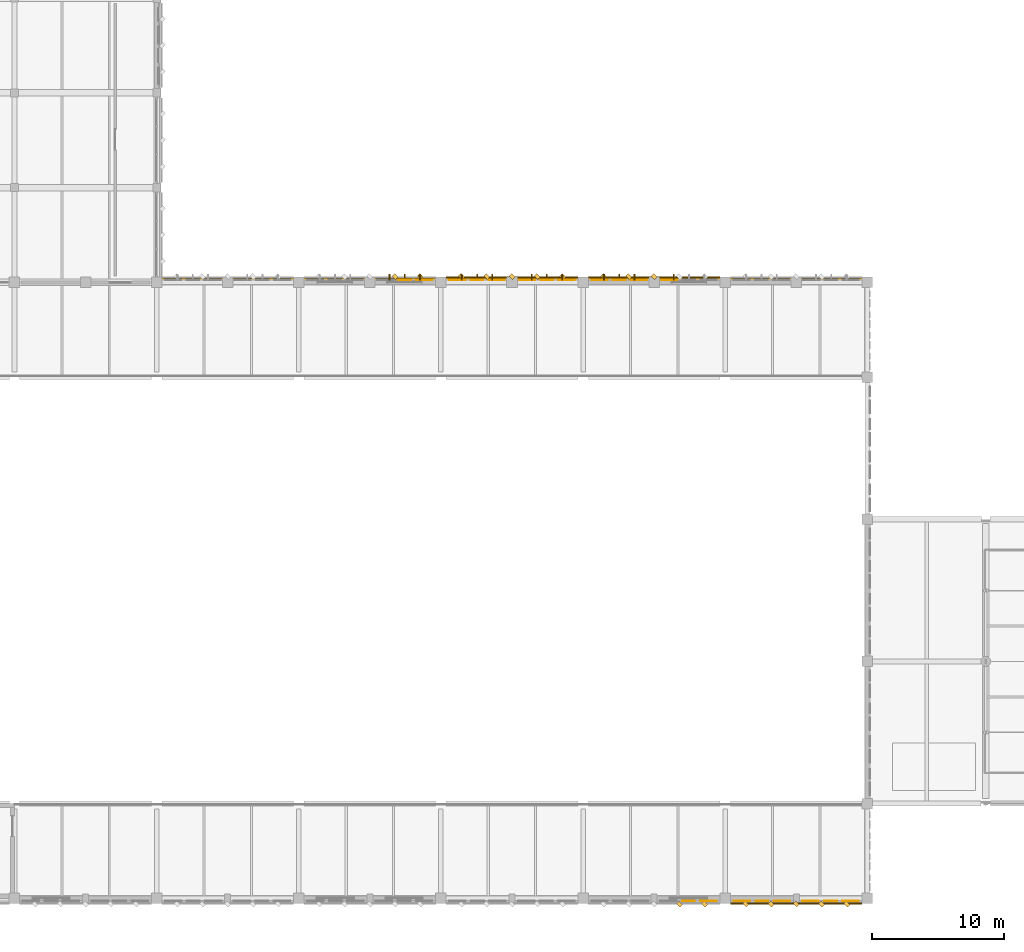
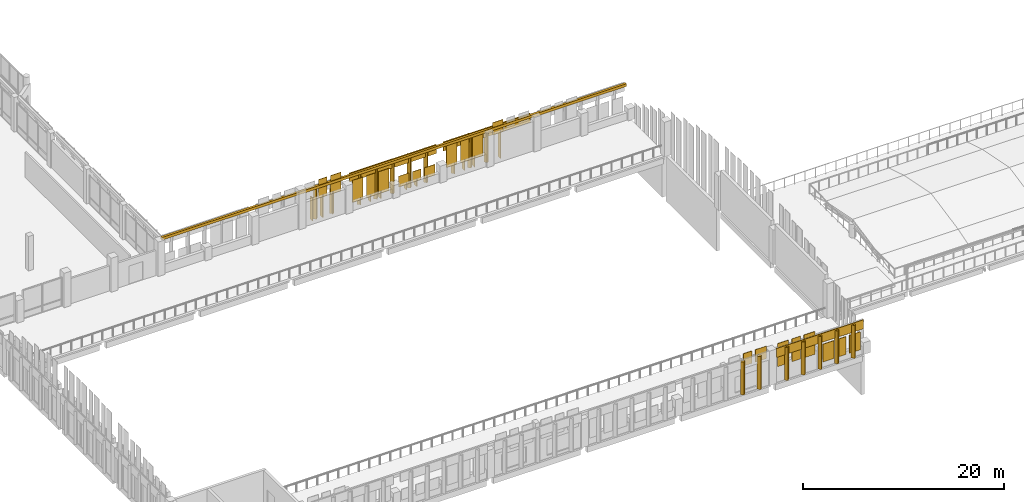
# One storey, part 144 of 158: 54 coverings.
"""IFC4 building model written with IfcOpenShell, lengths in metres."""

from ifc_helpers import new_model, si_unit, direction, frame, origin, origin_2d, place, context, subcontext, project, spatial, rectangle, extrude, material, layer, layer_set, type_object, element, save


model = new_model("IFC4")

# Units and contexts
model_context = context("Model", 3, precision=1e-05, world=origin(), true_north=direction((0.0, 1.0)))
body_context = subcontext(model_context, "Body", "Model", "MODEL_VIEW")
ifc_project = project(units=[si_unit("LENGTHUNIT", "METRE"), si_unit("AREAUNIT", "SQUARE_METRE"), si_unit("VOLUMEUNIT", "CUBIC_METRE"), si_unit("PLANEANGLEUNIT", "RADIAN"), si_unit("MASSUNIT", "GRAM", prefix="KILO")], contexts=[model_context])

# Site, building, storey
site_placement = place(None, origin())
site = spatial("IfcSite", under=ifc_project, at=site_placement, CompositionType="ELEMENT")
building_placement = place(site_placement, origin())
building = spatial("IfcBuilding", under=site, at=building_placement, Name="Lusvemor Sports Hall", CompositionType="ELEMENT")
storey_placement = place(building_placement, frame((0.0, 0.0, 10.800048828125)))
storey = spatial("IfcBuildingStorey", under=building, at=storey_placement, Name="L02", CompositionType="ELEMENT", Elevation=10.800048828125)

# Coverings
ifc_material_1 = material(Name="Precast granite-faced Concrete C40/50 architectural cladding", Category="masonry")
ifc_layer_1 = layer(ifc_material_1, 0.055908203125)
ifc_layer_set_1 = layer_set([ifc_layer_1], Name="Precast granite-faced Concrete C40/50 architectural cladding")
covering_type_1 = type_object("IfcCoveringType", Name="CLAD_RELIEF_FRIEZE", PredefinedType="CLADDING", material=ifc_layer_set_1)
covering_1_placement = place(storey_placement, frame((48.60009765625, 47.02001953125, 3.8798828125), z_axis=(0.0, 0.0, 1.0), x_axis=(1.0, 0.0, 0.0)))
element("IfcCovering", 1, at=covering_1_placement, inside=storey, type_object=covering_type_1, Name="Art Nouveau Sculpted Roofline Cornice 1568", PredefinedType="CLADDING", context=body_context, shape_type="SweptSolid", body=[
    extrude(rectangle(XDim=53.39990234375, YDim=0.239990234375, at=origin_2d()), origin(), (0.0, 0.0, 1.0), 0.320068359375),
])
ifc_material_2 = material(Name="Emerald polychrome glazed ceramic cladding on Concrete C40/50 backing", Category="concrete")
ifc_layer_2 = layer(ifc_material_2, 0.0458984375)
ifc_layer_set_2 = layer_set([ifc_layer_2], Name="Emerald polychrome glazed ceramic cladding on Concrete C40/50 backing")
covering_type_2 = type_object("IfcCoveringType", Name="CLAD_WAVE_EMERALD", PredefinedType="CLADDING", material=ifc_layer_set_2)
covering_2_placement = place(storey_placement, frame((41.943359375, 46.990478515625, 2.60107421875), z_axis=(0.0, 0.0, 1.0), x_axis=(1.0, 0.0, 0.0)))
element("IfcCovering", 2, at=covering_2_placement, inside=storey, type_object=covering_type_2, Name="Art Nouveau Patterned Cladding PS-WAVEN-3-2-3", PredefinedType="CLADDING", context=body_context, shape_type="SweptSolid", body=[
    extrude(rectangle(XDim=1.224609375, YDim=0.0458984375, at=origin_2d()), origin(), (0.0, 0.0, 1.0), 2.273193359375),
])
for number, where, z_axis, x_axis, name in (
    (3, (44.456787109375, 46.990478515625, 0.7236328125), (0.0, 0.0, 1.0), (1.0, 0.0, 0.0), "Art Nouveau Patterned Cladding PS-WAVEN-4-1-1"),
    (4, (47.443359375, 46.990478515625, 0.7236328125), (0.0, 0.0, 1.0), (1.0, 0.0, 0.0), "Art Nouveau Patterned Cladding PS-WAVEN-4-1-3"),
):
    element("IfcCovering", number, at=place(storey_placement, frame(where, z_axis=z_axis, x_axis=x_axis)), inside=storey, type_object=covering_type_2, Name=name, PredefinedType="CLADDING", context=body_context, shape_type="SweptSolid", body=[
        extrude(rectangle(XDim=1.224609375, YDim=0.0458984375, at=origin_2d()), origin(), (0.0, 0.0, 1.0), 2.690185546875),
    ])
for number, where, z_axis, x_axis, name in (
    (5, (49.756591796875, 46.990478515625, 0.746337890625), (0.0, 0.0, 1.0), (1.0, 0.0, 0.0), "Art Nouveau Patterned Cladding PS-WAVEN-4-2-1"),
    (6, (52.743408203125, 46.990478515625, 0.746337890625), (0.0, 0.0, 1.0), (1.0, 0.0, 0.0), "Art Nouveau Patterned Cladding PS-WAVEN-4-2-3"),
):
    element("IfcCovering", number, at=place(storey_placement, frame(where, z_axis=z_axis, x_axis=x_axis)), inside=storey, type_object=covering_type_2, Name=name, PredefinedType="CLADDING", context=body_context, shape_type="SweptSolid", body=[
        extrude(rectangle(XDim=1.224609375, YDim=0.0458984375, at=origin_2d()), origin(), (0.0, 0.0, 1.0), 1.3056640625),
    ])
covering_3_placement = place(storey_placement, frame((63.530029296875, -0.1904296875, 3.27685546875), z_axis=(0.0, 0.0, 1.0), x_axis=(1.0, 0.0, 0.0)))
element("IfcCovering", 7, at=covering_3_placement, inside=storey, type_object=covering_type_2, Name="Art Nouveau Patterned Cladding PS-WAVES-5-2-3", PredefinedType="CLADDING", context=body_context, shape_type="SweptSolid", body=[
    extrude(rectangle(XDim=1.246337890625, YDim=0.0458984375, at=origin_2d()), origin(), (0.0, 0.0, 1.0), 1.507080078125),
])
for number, where, z_axis, x_axis, name in (
    (8, (55.256591796875, 46.990478515625, 1.17919921875), (0.0, 0.0, 1.0), (1.0, 0.0, 0.0), "Art Nouveau Patterned Cladding PS-WAVEN-5-1-1"),
    (9, (58.243408203125, 46.990478515625, 1.17919921875), (0.0, 0.0, 1.0), (1.0, 0.0, 0.0), "Art Nouveau Patterned Cladding PS-WAVEN-5-1-3"),
):
    element("IfcCovering", number, at=place(storey_placement, frame(where, z_axis=z_axis, x_axis=x_axis)), inside=storey, type_object=covering_type_2, Name=name, PredefinedType="CLADDING", context=body_context, shape_type="SweptSolid", body=[
        extrude(rectangle(XDim=1.224609375, YDim=0.0458984375, at=origin_2d()), origin(), (0.0, 0.0, 1.0), 2.965576171875),
    ])
covering_4_placement = place(storey_placement, frame((60.556640625, 46.990478515625, 3.27685546875), z_axis=(0.0, 0.0, 1.0), x_axis=(1.0, 0.0, 0.0)))
element("IfcCovering", 10, at=covering_4_placement, inside=storey, type_object=covering_type_2, Name="Art Nouveau Patterned Cladding PS-WAVEN-5-2-1", PredefinedType="CLADDING", context=body_context, shape_type="SweptSolid", body=[
    extrude(rectangle(XDim=1.224609375, YDim=0.0458984375, at=origin_2d()), origin(), (0.0, 0.0, 1.0), 1.507080078125),
])
for number, where, z_axis, x_axis, name in (
    (11, (66.070068359375, -0.1904296875, 1.85009765625), (0.0, 0.0, 1.0), (1.0, 0.0, 0.0), "Art Nouveau Patterned Cladding PS-WAVES-6-1-1"),
    (12, (69.110107421875, -0.1904296875, 1.85009765625), (0.0, 0.0, 1.0), (1.0, 0.0, 0.0), "Art Nouveau Patterned Cladding PS-WAVES-6-1-3"),
):
    element("IfcCovering", number, at=place(storey_placement, frame(where, z_axis=z_axis, x_axis=x_axis)), inside=storey, type_object=covering_type_2, Name=name, PredefinedType="CLADDING", context=body_context, shape_type="SweptSolid", body=[
        extrude(rectangle(XDim=1.246337890625, YDim=0.0458984375, at=origin_2d()), origin(), (0.0, 0.0, 1.0), 2.77978515625),
    ])
for number, where, z_axis, x_axis, name in (
    (13, (71.2900390625, -0.1904296875, 0.57177734375), (0.0, 0.0, 1.0), (1.0, 0.0, 0.0), "Art Nouveau Patterned Cladding PS-WAVES-6-2-1"),
    (14, (74.330078125, -0.1904296875, 0.57177734375), (0.0, 0.0, 1.0), (1.0, 0.0, 0.0), "Art Nouveau Patterned Cladding PS-WAVES-6-2-3"),
):
    element("IfcCovering", number, at=place(storey_placement, frame(where, z_axis=z_axis, x_axis=x_axis)), inside=storey, type_object=covering_type_2, Name=name, PredefinedType="CLADDING", context=body_context, shape_type="SweptSolid", body=[
        extrude(rectangle(XDim=1.246337890625, YDim=0.0458984375, at=origin_2d()), origin(), (0.0, 0.0, 1.0), 2.1787109375),
    ])
for number, where, z_axis, x_axis, name in (
    (15, (61.320068359375, -0.43994140625, 0.099853515625), (0.0, 0.0, 1.0), (0.707106781187, 0.707106781187, 0.0), "Patterned Diamond Cladding Rib 115"),
    (16, (68.280029296875, -0.43994140625, 0.099853515625), (0.0, 0.0, 1.0), (0.707106781187, 0.707106781187, 0.0), "Patterned Diamond Cladding Rib 131"),
    (17, (72.1201171875, -0.43994140625, 0.099853515625), (0.0, 0.0, 1.0), (0.707106781187, 0.707106781187, 0.0), "Patterned Diamond Cladding Rib 133"),
    (18, (39.719970703125, 47.239990234375, 0.099853515625), (0.0, 0.0, 1.0), (0.707106781187, 0.707106781187, 0.0), "Patterned Diamond Cladding Rib 1512"),
    (19, (46.679931640625, 47.239990234375, 0.099853515625), (0.0, 0.0, 1.0), (0.707106781187, 0.707106781187, 0.0), "Patterned Diamond Cladding Rib 1528"),
    (20, (50.52001953125, 47.239990234375, 0.099853515625), (0.0, 0.0, 1.0), (0.707106781187, 0.707106781187, 0.0), "Patterned Diamond Cladding Rib 1530"),
    (21, (57.47998046875, 47.239990234375, 0.099853515625), (0.0, 0.0, 1.0), (0.707106781187, 0.707106781187, 0.0), "Patterned Diamond Cladding Rib 1546"),
):
    element("IfcCovering", number, at=place(storey_placement, frame(where, z_axis=z_axis, x_axis=x_axis)), inside=storey, type_object=covering_type_2, Name=name, PredefinedType="CLADDING", context=body_context, shape_type="SweptSolid", body=[
        extrude(rectangle(XDim=0.280029296875, YDim=0.3798828125, at=origin_2d()), origin(), (0.0, 0.0, 1.0), 4.0),
    ])
ifc_material_3 = material(Name="Warm terracotta Art Nouveau ceramic cladding on Concrete C40/50 backing", Category="masonry")
ifc_layer_3 = layer(ifc_material_3, 0.0380859375)
ifc_layer_set_3 = layer_set([ifc_layer_3], Name="Warm terracotta Art Nouveau ceramic cladding on Concrete C40/50 backing")
covering_type_3 = type_object("IfcCoveringType", Name="CLAD_WAVE_OCHRE", PredefinedType="CLADDING", material=ifc_layer_set_3)
covering_5_placement = place(storey_placement, frame((40.449951171875, 46.986572265625, 2.60107421875), z_axis=(0.0, 0.0, 1.0), x_axis=(1.0, 0.0, 0.0)))
element("IfcCovering", 22, at=covering_5_placement, inside=storey, type_object=covering_type_3, Name="Art Nouveau Patterned Cladding PS-WAVEN-3-2-2", PredefinedType="CLADDING", context=body_context, shape_type="SweptSolid", body=[
    extrude(rectangle(XDim=0.955810546875, YDim=0.0380859375, at=origin_2d()), origin(), (0.0, 0.0, 1.0), 2.273193359375),
])
covering_6_placement = place(storey_placement, frame((45.949951171875, 46.986572265625, 0.7236328125), z_axis=(0.0, 0.0, 1.0), x_axis=(1.0, 0.0, 0.0)))
element("IfcCovering", 23, at=covering_6_placement, inside=storey, type_object=covering_type_3, Name="Art Nouveau Patterned Cladding PS-WAVEN-4-1-2", PredefinedType="CLADDING", context=body_context, shape_type="SweptSolid", body=[
    extrude(rectangle(XDim=0.955810546875, YDim=0.0380859375, at=origin_2d()), origin(), (0.0, 0.0, 1.0), 2.690185546875),
])
covering_7_placement = place(storey_placement, frame((51.25, 46.986572265625, 0.746337890625), z_axis=(0.0, 0.0, 1.0), x_axis=(1.0, 0.0, 0.0)))
element("IfcCovering", 24, at=covering_7_placement, inside=storey, type_object=covering_type_3, Name="Art Nouveau Patterned Cladding PS-WAVEN-4-2-2", PredefinedType="CLADDING", context=body_context, shape_type="SweptSolid", body=[
    extrude(rectangle(XDim=0.955810546875, YDim=0.0380859375, at=origin_2d()), origin(), (0.0, 0.0, 1.0), 1.3056640625),
])
covering_8_placement = place(storey_placement, frame((62.010009765625, -0.1865234375, 3.27685546875), z_axis=(0.0, 0.0, 1.0), x_axis=(1.0, 0.0, 0.0)))
element("IfcCovering", 25, at=covering_8_placement, inside=storey, type_object=covering_type_3, Name="Art Nouveau Patterned Cladding PS-WAVES-5-2-2", PredefinedType="CLADDING", context=body_context, shape_type="SweptSolid", body=[
    extrude(rectangle(XDim=0.972900390625, YDim=0.0380859375, at=origin_2d()), origin(), (0.0, 0.0, 1.0), 1.507080078125),
])
covering_9_placement = place(storey_placement, frame((56.75, 46.986572265625, 1.17919921875), z_axis=(0.0, 0.0, 1.0), x_axis=(1.0, 0.0, 0.0)))
element("IfcCovering", 26, at=covering_9_placement, inside=storey, type_object=covering_type_3, Name="Art Nouveau Patterned Cladding PS-WAVEN-5-1-2", PredefinedType="CLADDING", context=body_context, shape_type="SweptSolid", body=[
    extrude(rectangle(XDim=0.955810546875, YDim=0.0380859375, at=origin_2d()), origin(), (0.0, 0.0, 1.0), 2.965576171875),
])
covering_10_placement = place(storey_placement, frame((67.590087890625, -0.1865234375, 1.85009765625), z_axis=(0.0, 0.0, 1.0), x_axis=(1.0, 0.0, 0.0)))
element("IfcCovering", 27, at=covering_10_placement, inside=storey, type_object=covering_type_3, Name="Art Nouveau Patterned Cladding PS-WAVES-6-1-2", PredefinedType="CLADDING", context=body_context, shape_type="SweptSolid", body=[
    extrude(rectangle(XDim=0.972900390625, YDim=0.0380859375, at=origin_2d()), origin(), (0.0, 0.0, 1.0), 2.77978515625),
])
covering_11_placement = place(storey_placement, frame((72.81005859375, -0.1865234375, 0.57177734375), z_axis=(0.0, 0.0, 1.0), x_axis=(1.0, 0.0, 0.0)))
element("IfcCovering", 28, at=covering_11_placement, inside=storey, type_object=covering_type_3, Name="Art Nouveau Patterned Cladding PS-WAVES-6-2-2", PredefinedType="CLADDING", context=body_context, shape_type="SweptSolid", body=[
    extrude(rectangle(XDim=0.972900390625, YDim=0.0380859375, at=origin_2d()), origin(), (0.0, 0.0, 1.0), 2.1787109375),
])
for number, where, z_axis, x_axis, name in (
    (29, (70.199951171875, -0.389892578125, 3.179931640625), (0.0, 0.0, 1.0), (1.0, 0.0, 0.0), "Art Nouveau Spandrel Cornice 129"),
    (30, (48.60009765625, 47.18994140625, 3.179931640625), (0.0, 0.0, 1.0), (1.0, 0.0, 0.0), "Art Nouveau Spandrel Cornice 1526"),
    (31, (59.39990234375, 47.18994140625, 3.179931640625), (0.0, 0.0, 1.0), (1.0, 0.0, 0.0), "Art Nouveau Spandrel Cornice 1544"),
):
    element("IfcCovering", number, at=place(storey_placement, frame(where, z_axis=z_axis, x_axis=x_axis)), inside=storey, type_object=covering_type_3, Name=name, PredefinedType="CLADDING", context=body_context, shape_type="SweptSolid", body=[
        extrude(rectangle(XDim=9.97998046875, YDim=0.090087890625, at=origin_2d()), origin(), (0.0, 0.0, 1.0), 1.080078125),
    ])
ifc_material_4 = material(Name="Warm terracotta Art Nouveau ceramic cladding on Concrete C40/50 backing", Category="masonry")
ifc_layer_4 = layer(ifc_material_4, 0.449951171875)
ifc_layer_set_4 = layer_set([ifc_layer_4], Name="Warm terracotta Art Nouveau ceramic cladding on Concrete C40/50 backing")
covering_type_4 = type_object("IfcCoveringType", Name="FIN_BRISE_CER_450", PredefinedType="MOLDING", material=ifc_layer_set_4)
for number, where, z_axis, x_axis, name in (
    (32, (39.2900390625, 47.18994140625, 0.10009765625), (0.0, 0.0, 1.0), (1.0, 0.0, 0.0), "Coastal Ceramic Brise-Soleil Fin N-3.2.1"),
    (33, (40.449951171875, 47.18994140625, 0.10009765625), (0.0, 0.0, 1.0), (1.0, 0.0, 0.0), "Coastal Ceramic Brise-Soleil Fin N-3.2.2"),
    (34, (41.610107421875, 47.18994140625, 0.10009765625), (0.0, 0.0, 1.0), (1.0, 0.0, 0.0), "Coastal Ceramic Brise-Soleil Fin N-3.2.3"),
):
    element("IfcCovering", number, at=place(storey_placement, frame(where, z_axis=z_axis, x_axis=x_axis)), inside=storey, type_object=covering_type_4, Name=name, PredefinedType="MOLDING", context=body_context, shape_type="SweptSolid", body=[
        extrude(rectangle(XDim=0.090087890625, YDim=0.449951171875, at=origin_2d()), origin(), (0.0, 0.0, 1.0), 2.771240234375),
    ])
for number, where, z_axis, x_axis, name in (
    (35, (44.7900390625, 47.18994140625, 0.099853515625), (0.0, 0.0, 1.0), (1.0, 0.0, 0.0), "Coastal Ceramic Brise-Soleil Fin N-4.1.1"),
    (36, (45.949951171875, 47.18994140625, 0.099853515625), (0.0, 0.0, 1.0), (1.0, 0.0, 0.0), "Coastal Ceramic Brise-Soleil Fin N-4.1.2"),
    (37, (47.110107421875, 47.18994140625, 0.099853515625), (0.0, 0.0, 1.0), (1.0, 0.0, 0.0), "Coastal Ceramic Brise-Soleil Fin N-4.1.3"),
):
    element("IfcCovering", number, at=place(storey_placement, frame(where, z_axis=z_axis, x_axis=x_axis)), inside=storey, type_object=covering_type_4, Name=name, PredefinedType="MOLDING", context=body_context, shape_type="SweptSolid", body=[
        extrude(rectangle(XDim=0.090087890625, YDim=0.449951171875, at=origin_2d()), origin(), (0.0, 0.0, 1.0), 0.89404296875),
    ])
for number, where, z_axis, x_axis, name in (
    (38, (50.090087890625, 47.18994140625, 0.099853515625), (0.0, 0.0, 1.0), (1.0, 0.0, 0.0), "Coastal Ceramic Brise-Soleil Fin N-4.2.1"),
    (39, (51.25, 47.18994140625, 0.099853515625), (0.0, 0.0, 1.0), (1.0, 0.0, 0.0), "Coastal Ceramic Brise-Soleil Fin N-4.2.2"),
    (40, (52.409912109375, 47.18994140625, 0.099853515625), (0.0, 0.0, 1.0), (1.0, 0.0, 0.0), "Coastal Ceramic Brise-Soleil Fin N-4.2.3"),
):
    element("IfcCovering", number, at=place(storey_placement, frame(where, z_axis=z_axis, x_axis=x_axis)), inside=storey, type_object=covering_type_4, Name=name, PredefinedType="MOLDING", context=body_context, shape_type="SweptSolid", body=[
        extrude(rectangle(XDim=0.090087890625, YDim=0.449951171875, at=origin_2d()), origin(), (0.0, 0.0, 1.0), 0.91650390625),
    ])
for number, where, z_axis, x_axis, name in (
    (41, (55.590087890625, 47.18994140625, 0.10009765625), (0.0, 0.0, 1.0), (1.0, 0.0, 0.0), "Coastal Ceramic Brise-Soleil Fin N-5.1.1"),
    (42, (56.75, 47.18994140625, 0.10009765625), (0.0, 0.0, 1.0), (1.0, 0.0, 0.0), "Coastal Ceramic Brise-Soleil Fin N-5.1.2"),
    (43, (57.909912109375, 47.18994140625, 0.10009765625), (0.0, 0.0, 1.0), (1.0, 0.0, 0.0), "Coastal Ceramic Brise-Soleil Fin N-5.1.3"),
):
    element("IfcCovering", number, at=place(storey_placement, frame(where, z_axis=z_axis, x_axis=x_axis)), inside=storey, type_object=covering_type_4, Name=name, PredefinedType="MOLDING", context=body_context, shape_type="SweptSolid", body=[
        extrude(rectangle(XDim=0.090087890625, YDim=0.449951171875, at=origin_2d()), origin(), (0.0, 0.0, 1.0), 1.34912109375),
    ])
covering_12_placement = place(storey_placement, frame((60.889892578125, 47.18994140625, 0.10009765625), z_axis=(0.0, 0.0, 1.0), x_axis=(1.0, 0.0, 0.0)))
element("IfcCovering", 44, at=covering_12_placement, inside=storey, type_object=covering_type_4, Name="Coastal Ceramic Brise-Soleil Fin N-5.2.1", PredefinedType="MOLDING", context=body_context, shape_type="SweptSolid", body=[
    extrude(rectangle(XDim=0.090087890625, YDim=0.449951171875, at=origin_2d()), origin(), (0.0, 0.0, 1.0), 3.447021484375),
])
for number, where, z_axis, x_axis, name in (
    (45, (63.239990234375, -0.43994140625, 0.099853515625), (0.0, 0.0, 1.0), (0.707106781187, 0.707106781187, 0.0), "Patterned Diamond Cladding Rib 116"),
    (46, (66.360107421875, -0.43994140625, 0.099853515625), (0.0, 0.0, 1.0), (0.707106781187, 0.707106781187, 0.0), "Patterned Diamond Cladding Rib 130"),
    (47, (70.199951171875, -0.43994140625, 0.099853515625), (0.0, 0.0, 1.0), (0.707106781187, 0.707106781187, 0.0), "Patterned Diamond Cladding Rib 132"),
    (48, (74.0400390625, -0.43994140625, 0.099853515625), (0.0, 0.0, 1.0), (0.707106781187, 0.707106781187, 0.0), "Patterned Diamond Cladding Rib 134"),
    (49, (41.639892578125, 47.239990234375, 0.099853515625), (0.0, 0.0, 1.0), (0.707106781187, 0.707106781187, 0.0), "Patterned Diamond Cladding Rib 1513"),
    (50, (44.760009765625, 47.239990234375, 0.099853515625), (0.0, 0.0, 1.0), (0.707106781187, 0.707106781187, 0.0), "Patterned Diamond Cladding Rib 1527"),
    (51, (48.60009765625, 47.239990234375, 0.099853515625), (0.0, 0.0, 1.0), (0.707106781187, 0.707106781187, 0.0), "Patterned Diamond Cladding Rib 1529"),
    (52, (52.43994140625, 47.239990234375, 0.099853515625), (0.0, 0.0, 1.0), (0.707106781187, 0.707106781187, 0.0), "Patterned Diamond Cladding Rib 1531"),
    (53, (55.56005859375, 47.239990234375, 0.099853515625), (0.0, 0.0, 1.0), (0.707106781187, 0.707106781187, 0.0), "Patterned Diamond Cladding Rib 1545"),
    (54, (59.39990234375, 47.239990234375, 0.099853515625), (0.0, 0.0, 1.0), (0.707106781187, 0.707106781187, 0.0), "Patterned Diamond Cladding Rib 1547"),
):
    element("IfcCovering", number, at=place(storey_placement, frame(where, z_axis=z_axis, x_axis=x_axis)), inside=storey, type_object=covering_type_4, Name=name, PredefinedType="MOLDING", context=body_context, shape_type="SweptSolid", body=[
        extrude(rectangle(XDim=0.280029296875, YDim=0.3798828125, at=origin_2d()), origin(), (0.0, 0.0, 1.0), 4.0),
    ])

save(model, "model.ifc")
